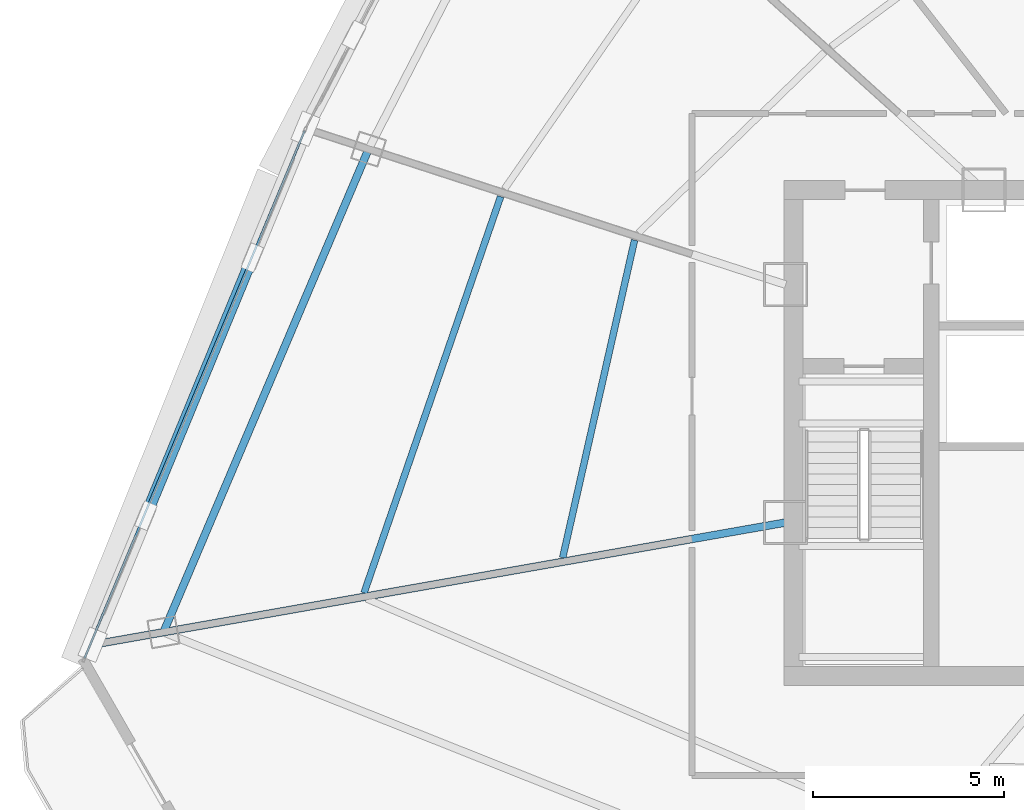
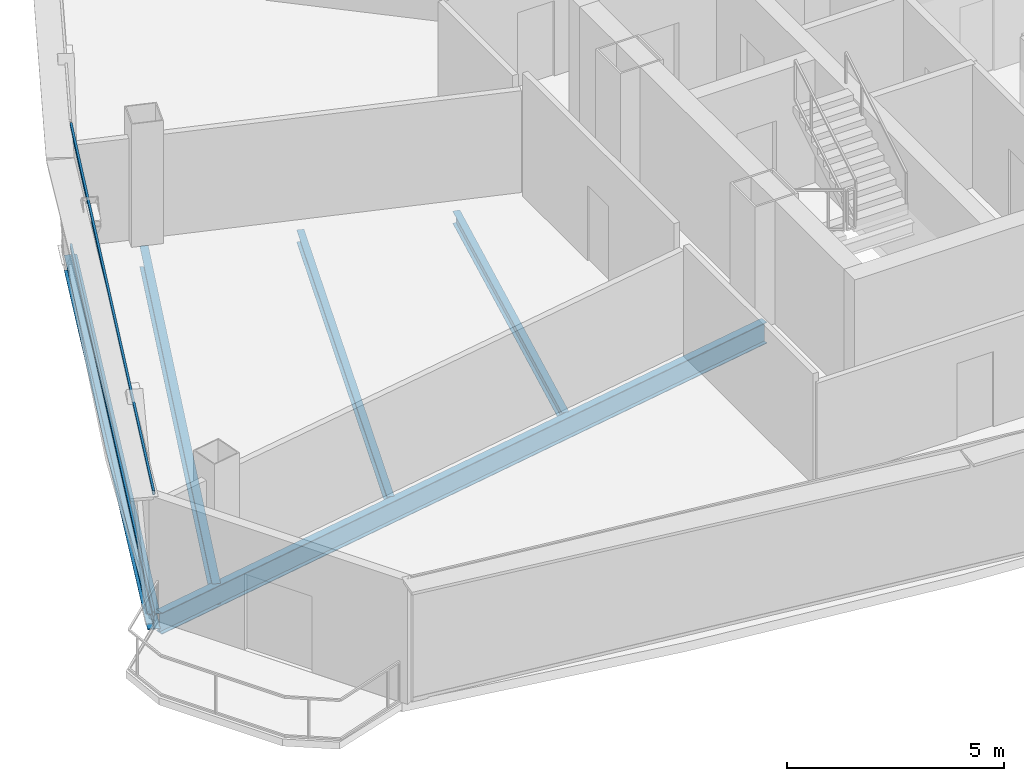
# One storey, part 5 of 35: 5 beams, 2 members, 1 element without a shape of its own.
"""IFC4 building model written with IfcOpenShell, lengths in metres."""

from ifc_helpers import new_model, si_unit, direction, frame, origin, origin_2d, place, context, subcontext, project, spatial, hollow_rectangle, i_section, extrude, source, transform, mapped, material, layer, layer_set, material_profile, profile_set, type_object, element, aggregate, save


model = new_model("IFC4")

# Units and contexts
model_context = context("Model", 3, precision=1e-05, world=origin(), true_north=direction((0.0, 1.0)))
body_context = subcontext(model_context, "Body", "Model", "MODEL_VIEW")
ifc_project = project(units=[si_unit("LENGTHUNIT", "METRE"), si_unit("AREAUNIT", "SQUARE_METRE"), si_unit("VOLUMEUNIT", "CUBIC_METRE"), si_unit("PLANEANGLEUNIT", "RADIAN"), si_unit("MASSUNIT", "GRAM", prefix="KILO"), si_unit("THERMODYNAMICTEMPERATUREUNIT", "KELVIN"), si_unit("POWERUNIT", "WATT")], contexts=[model_context])

# Site, building, storey
site_placement = place(None, origin())
site = spatial("IfcSite", under=ifc_project, at=site_placement, CompositionType="ELEMENT")
building_placement = place(site_placement, origin())
building = spatial("IfcBuilding", under=site, at=building_placement, Name="Yunzhuo Pagoda Commons", CompositionType="ELEMENT")
storey_placement = place(building_placement, frame((0.0, 0.0, 303.669921875)))
storey = spatial("IfcBuildingStorey", under=building, at=storey_placement, Name="L76", CompositionType="ELEMENT", Elevation=303.669921875)

# Beams
ifc_material_1 = material(Name="Structural steel Q355B", Category="steel")
ifc_material_profile_1 = material_profile(ifc_material_1, i_section(OverallWidth=0.199951171875, OverallDepth=0.60009765625, WebThickness=0.010986328125, FlangeThickness=0.01708984375, at=origin_2d()), Name="Structural steel Q355B")
ifc_profile_set_1 = profile_set([ifc_material_profile_1], Name="Structural steel Q355B")
beam_type_1 = type_object("IfcBeamType", Name="B-RG3 Beam HN 600x200x11x17", PredefinedType="BEAM", material=ifc_profile_set_1)
shared_shape_1 = source(origin(), body_context, "Body", "SweptSolid", [
    extrude(i_section(OverallWidth=0.199951171875, OverallDepth=0.60009765625, WebThickness=0.010986328125, FlangeThickness=0.01708984375, at=origin_2d()), origin(), (0.0, 0.0, 1.0), 13.715576171875),
])
beam_1_placement = place(storey_placement, frame((24.697509765625, 41.271484375, -0.559814453125), z_axis=(-0.390733146992, -0.920503996646, 0.0), x_axis=(0.920503996646, -0.390733146992, 0.0)))
element("IfcBeam", 1, at=beam_1_placement, inside=storey, type_object=beam_type_1, Name="L76 column-ring beam 11", PredefinedType="BEAM", context=body_context, shape_type="MappedRepresentation", body=[
    mapped(shared_shape_1, transform((0.0, 0.0, 0.0), scale=1.0)),
])
ifc_material_profile_2 = material_profile(ifc_material_1, i_section(OverallWidth=0.175048828125, OverallDepth=0.35009765625, WebThickness=0.007080078125, FlangeThickness=0.010986328125, at=origin_2d()), Name="Structural steel Q355B")
ifc_profile_set_2 = profile_set([ifc_material_profile_2], Name="Structural steel Q355B")
beam_type_2 = type_object("IfcBeamType", Name="B-JS2 Joist HN 350x175x7x11", PredefinedType="JOIST", material=ifc_profile_set_2)
shared_shape_2 = source(origin(), body_context, "Body", "SweptSolid", [
    extrude(i_section(OverallWidth=0.175048828125, OverallDepth=0.35009765625, WebThickness=0.007080078125, FlangeThickness=0.010986328125, at=origin_2d()), origin(), (0.0, 0.0, 1.0), 8.508544921875),
])
beam_2_placement = place(storey_placement, frame((31.649658203125, 38.89208984375, -0.434814453125), z_axis=(-0.220769003385, -0.975326123481, 0.0), x_axis=(0.975326123481, -0.220769003385, 0.0)))
element("IfcBeam", 2, at=beam_2_placement, inside=storey, type_object=beam_type_2, Name="L76 composite ring joist 1.11", PredefinedType="JOIST", context=body_context, shape_type="MappedRepresentation", body=[
    mapped(shared_shape_2, transform((0.0, 0.0, 0.0), scale=1.0)),
])
shared_shape_3 = source(origin(), body_context, "Body", "SweptSolid", [
    extrude(i_section(OverallWidth=0.175048828125, OverallDepth=0.35009765625, WebThickness=0.007080078125, FlangeThickness=0.010986328125, at=origin_2d()), origin(), (0.0, 0.0, 1.0), 10.954345703125),
])
beam_3_placement = place(storey_placement, frame((28.14892578125, 40.029052734375, -0.434814453125), z_axis=(-0.325839571137, -0.945425075763, 0.0), x_axis=(0.945425075763, -0.325839571137, 0.0)))
element("IfcBeam", 3, at=beam_3_placement, inside=storey, type_object=beam_type_2, Name="L76 composite ring joist 2.11", PredefinedType="JOIST", context=body_context, shape_type="MappedRepresentation", body=[
    mapped(shared_shape_3, transform((0.0, 0.0, 0.0), scale=1.0)),
])
shared_shape_4 = source(origin(), body_context, "Body", "SweptSolid", [
    extrude(i_section(OverallWidth=0.199951171875, OverallDepth=0.60009765625, WebThickness=0.010986328125, FlangeThickness=0.01708984375, at=origin_2d()), origin(), (0.0, 0.0, 1.0), 18.23828125),
])
beam_4_placement = place(storey_placement, frame((17.638916015625, 28.3466796875, -0.559814453125), z_axis=(0.984810499087, 0.173632603184, 0.0), x_axis=(-0.173632603184, 0.984810499087, 0.0)))
element("IfcBeam", 4, at=beam_4_placement, inside=storey, type_object=beam_type_1, Name="L76 radial floor girder F3C4", PredefinedType="BEAM", context=body_context, shape_type="MappedRepresentation", body=[
    mapped(shared_shape_4, transform((0.0, 0.0, 0.0), scale=1.0)),
])
ifc_material_profile_3 = material_profile(ifc_material_1, i_section(OverallWidth=0.300048828125, OverallDepth=0.43994140625, WebThickness=0.010986328125, FlangeThickness=0.01806640625, at=origin_2d()), Name="Structural steel Q355B")
ifc_profile_set_3 = profile_set([ifc_material_profile_3], Name="Structural steel Q355B")
beam_type_3 = type_object("IfcBeamType", Name="B-SP2 Beam HM 440x300x11x18", PredefinedType="BEAM", material=ifc_profile_set_3)
shared_shape_5 = source(origin(), body_context, "Body", "SweptSolid", [
    extrude(i_section(OverallWidth=0.300048828125, OverallDepth=0.43994140625, WebThickness=0.010986328125, FlangeThickness=0.01806640625, at=origin_2d()), origin(), (0.0, 0.0, 1.0), 14.589599609375),
])
beam_5_placement = place(storey_placement, frame((23.050048828125, 41.806640625, -0.47998046875), z_axis=(-0.381363277561, -0.92442525416, 0.0), x_axis=(0.92442525416, -0.381363277561, 0.0)))
element("IfcBeam", 5, at=beam_5_placement, inside=storey, type_object=beam_type_3, Name="L76 facade edge spandrel beam F3.3", PredefinedType="BEAM", context=body_context, shape_type="MappedRepresentation", body=[
    mapped(shared_shape_5, transform((0.0, 0.0, 0.0), scale=1.0)),
])

# Curtain wall, members
ifc_material_2 = material(Name="Anodized aluminium 6063-T6", Category="aluminium")
ifc_layer = layer(ifc_material_2, 0.139892578125)
ifc_layer_set = layer_set([ifc_layer], Name="Anodized aluminium 6063-T6")
curtain_wall_type = type_object("IfcCurtainWallType", Name="CW-HI High-Zone Ribbon Curtain Wall", PredefinedType="NOTDEFINED", material=ifc_layer_set)
curtain_wall_placement = place(storey_placement, origin())
curtain_wall = element("IfcCurtainWall", 6, at=curtain_wall_placement, inside=storey, type_object=curtain_wall_type, Name="L76 curtain wall CW-L76-F3B4", PredefinedType="NOTDEFINED")
ifc_material_profile_4 = material_profile(ifc_material_2, hollow_rectangle(XDim=0.054931640625, YDim=0.1201171875, WallThickness=0.00341796875, at=origin_2d()), Name="Anodized aluminium 6063-T6")
ifc_profile_set_4 = profile_set([ifc_material_profile_4], Name="Anodized aluminium 6063-T6")
member_type = type_object("IfcMemberType", Name="CW-HI-T Transom RHS 120x55x3.5", PredefinedType="USERDEFINED", material=ifc_profile_set_4)
shared_shape_6 = source(origin(), body_context, "Body", "SweptSolid", [
    extrude(hollow_rectangle(XDim=0.054931640625, YDim=0.1201171875, WallThickness=0.00341796875, at=origin_2d()), origin(), (0.0, 0.0, 1.0), 14.939208984375),
])
member_1_placement = place(storey_placement, frame((23.027099609375, 41.751220703125, 0.027587890625), z_axis=(-0.385102694445, -0.92287372632, 0.0), x_axis=(0.92287372632, -0.385102694445, 0.0)))
member_1 = element("IfcMember", 7, at=member_1_placement, type_object=member_type, Name="CW transom 1.1", ObjectType="TRANSOM", PredefinedType="USERDEFINED", context=body_context, shape_type="MappedRepresentation", body=[
    mapped(shared_shape_6, transform((0.0, 0.0, 0.0), scale=1.0)),
])
member_2_placement = place(storey_placement, frame((23.027099609375, 41.751220703125, 3.442626953125), z_axis=(-0.385102694445, -0.92287372632, 0.0), x_axis=(0.92287372632, -0.385102694445, 0.0)))
member_2 = element("IfcMember", 8, at=member_2_placement, type_object=member_type, Name="CW transom 1.2", ObjectType="TRANSOM", PredefinedType="USERDEFINED", context=body_context, shape_type="MappedRepresentation", body=[
    mapped(shared_shape_6, transform((0.0, 0.0, 0.0), scale=1.0)),
])
aggregate(curtain_wall, [member_1, member_2])

save(model, "model.ifc")
